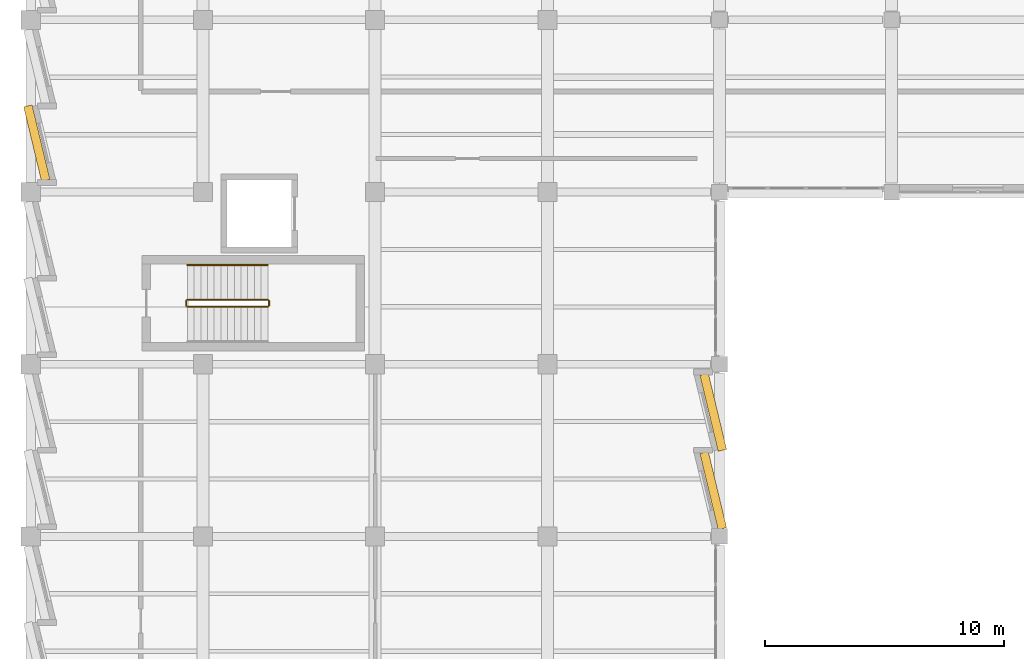
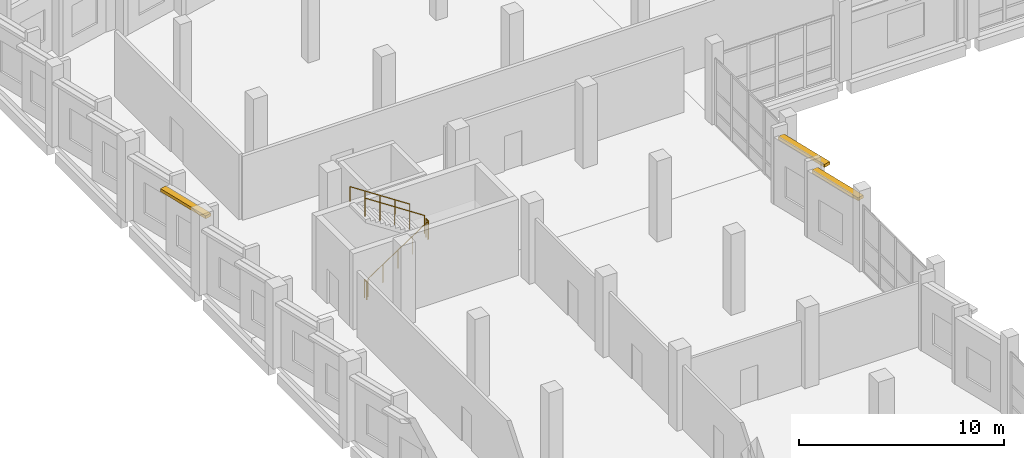
# One storey, part 115 of 127: 5 railings, 3 shading devices.
"""IFC4 building model written with IfcOpenShell, lengths in metres."""

from ifc_helpers import new_model, si_unit, direction, frame, origin, origin_2d, place, context, subcontext, project, spatial, rectangle, circle, extrude, material, layer, layer_set, type_object, element, save


model = new_model("IFC4")

# Units and contexts
model_context = context("Model", 3, precision=1e-05, world=origin(), true_north=direction((0.0, 1.0)))
body_context = subcontext(model_context, "Body", "Model", "MODEL_VIEW")
ifc_project = project(units=[si_unit("LENGTHUNIT", "METRE"), si_unit("AREAUNIT", "SQUARE_METRE"), si_unit("VOLUMEUNIT", "CUBIC_METRE"), si_unit("PLANEANGLEUNIT", "RADIAN"), si_unit("MASSUNIT", "GRAM", prefix="KILO")], contexts=[model_context])

# Site, building, storey
site_placement = place(None, origin())
site = spatial("IfcSite", under=ifc_project, at=site_placement, CompositionType="ELEMENT")
building_placement = place(site_placement, origin())
building = spatial("IfcBuilding", under=site, at=building_placement, Name="Kalmorath City Hall", CompositionType="ELEMENT")
storey_placement = place(building_placement, frame((0.0, 0.0, 5.39990234375)))
storey = spatial("IfcBuildingStorey", under=building, at=storey_placement, Name="L01", CompositionType="ELEMENT", Elevation=5.39990234375)

# Shading devices
ifc_material_1 = material(Name="Precast concrete C40/50", Category="concrete")
ifc_layer = layer(ifc_material_1, 0.179931640625)
ifc_layer_set = layer_set([ifc_layer], Name="Precast concrete C40/50")
shading_device_type = type_object("IfcShadingDeviceType", Name="Precast sawtooth brow sunshade 350", PredefinedType="USERDEFINED", material=ifc_layer_set)
shading_device_placement = place(storey_placement, frame((0.2529296875, 95.646728515625, 3.76611328125), z_axis=(0.0, 0.0, 1.0), x_axis=(-0.233445363856, 0.972369920398, 0.0)))
element("IfcShadingDevice", 1, at=shading_device_placement, inside=storey, type_object=shading_device_type, Name="L01 precast sawtooth hood #112", ObjectType="SUNSHADE", PredefinedType="USERDEFINED", context=body_context, shape_type="SweptSolid", body=[
    extrude(rectangle(XDim=3.19482421875, YDim=0.360107421875, at=origin_2d()), origin(), (0.0, 0.0, 1.0), 0.179931640625),
])
for number, where, z_axis, x_axis, name in (
    (2, (28.5380859375, 84.390869140625, 3.76611328125), (0.0, 0.0, 1.0), (0.233445363856, -0.972369920398, 0.0), "L01 precast sawtooth hood #178"),
    (3, (28.5380859375, 81.11669921875, 3.76611328125), (0.0, 0.0, 1.0), (0.233445363856, -0.972369920398, 0.0), "L01 precast sawtooth hood #179"),
):
    element("IfcShadingDevice", number, at=place(storey_placement, frame(where, z_axis=z_axis, x_axis=x_axis)), inside=storey, type_object=shading_device_type, Name=name, ObjectType="SUNSHADE", PredefinedType="USERDEFINED", context=body_context, shape_type="SweptSolid", body=[
        extrude(rectangle(XDim=3.27197265625, YDim=0.360107421875, at=origin_2d()), origin(), (0.0, 0.0, 1.0), 0.179931640625),
    ])

# Railings
ifc_material_2 = material(Name="Painted steel guardrail", Category="steel")
railing_type_1 = type_object("IfcRailingType", Name="Protected stair guardrail 1100", PredefinedType="GUARDRAIL", material=ifc_material_2)
railing_1_placement = place(storey_placement, frame((6.550048828125, 88.800048828125, 0.184814453125)))
element("IfcRailing", 4, at=railing_1_placement, inside=storey, type_object=railing_type_1, Name="L01 ST-4 stair guard 1", PredefinedType="GUARDRAIL", context=body_context, shape_type="SweptSolid", body=[
    extrude(circle(Radius=0.02392578125, at=origin_2d()), frame((0.0, 0.0, 1.076171875), z_axis=(0.834858096282, 0.0, 0.550465220583), x_axis=(0.0, 1.0, 0.0)), (0.0, 0.0, 1.0), 4.0244140625),
    extrude(circle(Radius=0.02099609375, at=origin_2d()), origin(), (0.0, 0.0, 1.0), 1.052001953125),
    extrude(circle(Radius=0.02099609375, at=origin_2d()), frame((0.83984375, 0.0, 0.5537109375)), (0.0, 0.0, 1.0), 1.052001953125),
    extrude(circle(Radius=0.02099609375, at=origin_2d()), frame((1.679931640625, 0.0, 1.107666015625)), (0.0, 0.0, 1.0), 1.052001953125),
    extrude(circle(Radius=0.02099609375, at=origin_2d()), frame((2.52001953125, 0.0, 1.66162109375)), (0.0, 0.0, 1.0), 1.052001953125),
    extrude(circle(Radius=0.02099609375, at=origin_2d()), frame((3.35986328125, 0.0, 2.21533203125)), (0.0, 0.0, 1.0), 1.052001953125),
])
railing_2_placement = place(storey_placement, frame((9.9599609375, 88.85009765625, 2.400146484375)))
element("IfcRailing", 5, at=railing_2_placement, inside=storey, type_object=railing_type_1, Name="L01 ST-4 stair guard 2", PredefinedType="GUARDRAIL", context=body_context, shape_type="SweptSolid", body=[
    extrude(circle(Radius=0.02392578125, at=origin_2d()), frame((0.0, 0.0, 1.076171875), z_axis=(0.0, 1.0, 0.0), x_axis=(-1.0, 0.0, 0.0)), (0.0, 0.0, 1.0), 0.199951171875),
    extrude(circle(Radius=0.02099609375, at=origin_2d()), origin(), (0.0, 0.0, 1.0), 1.052001953125),
    extrude(circle(Radius=0.02099609375, at=origin_2d()), frame((0.0, 0.199951171875, 0.0)), (0.0, 0.0, 1.0), 1.052001953125),
])
railing_3_placement = place(storey_placement, frame((9.909912109375, 89.10009765625, 2.584716796875)))
element("IfcRailing", 6, at=railing_3_placement, inside=storey, type_object=railing_type_1, Name="L01 ST-4 stair guard 3", PredefinedType="GUARDRAIL", context=body_context, shape_type="SweptSolid", body=[
    extrude(circle(Radius=0.02392578125, at=origin_2d()), frame((0.0, 0.0, 1.076171875), z_axis=(-0.834858096282, 0.0, 0.550465220583), x_axis=(0.0, -1.0, 0.0)), (0.0, 0.0, 1.0), 4.0244140625),
    extrude(circle(Radius=0.02099609375, at=origin_2d()), origin(), (0.0, 0.0, 1.0), 1.052001953125),
    extrude(circle(Radius=0.02099609375, at=origin_2d()), frame((-0.83984375, 0.0, 0.5537109375)), (0.0, 0.0, 1.0), 1.052001953125),
    extrude(circle(Radius=0.02099609375, at=origin_2d()), frame((-1.679931640625, 0.0, 1.107666015625)), (0.0, 0.0, 1.0), 1.052001953125),
    extrude(circle(Radius=0.02099609375, at=origin_2d()), frame((-2.52001953125, 0.0, 1.66162109375)), (0.0, 0.0, 1.0), 1.052001953125),
    extrude(circle(Radius=0.02099609375, at=origin_2d()), frame((-3.35986328125, 0.0, 2.21533203125)), (0.0, 0.0, 1.0), 1.052001953125),
])
railing_4_placement = place(storey_placement, frame((6.5, 88.85009765625, 0.0)))
element("IfcRailing", 7, at=railing_4_placement, inside=storey, type_object=railing_type_1, Name="L01 ST-4 stair guard 4", PredefinedType="GUARDRAIL", context=body_context, shape_type="SweptSolid", body=[
    extrude(circle(Radius=0.02392578125, at=origin_2d()), frame((0.0, 0.0, 1.076171875), z_axis=(0.0, 1.0, 0.0), x_axis=(-1.0, 0.0, 0.0)), (0.0, 0.0, 1.0), 0.199951171875),
    extrude(circle(Radius=0.02099609375, at=origin_2d()), origin(), (0.0, 0.0, 1.0), 1.052001953125),
    extrude(circle(Radius=0.02099609375, at=origin_2d()), frame((0.0, 0.199951171875, 0.0)), (0.0, 0.0, 1.0), 1.052001953125),
])
ifc_material_3 = material(Name="Brushed stainless steel handrail", Category="steel")
railing_type_2 = type_object("IfcRailingType", Name="Stair pitch handrail 900", PredefinedType="HANDRAIL", material=ifc_material_3)
railing_5_placement = place(storey_placement, frame((9.909912109375, 90.550048828125, 2.584716796875)))
element("IfcRailing", 8, at=railing_5_placement, inside=storey, type_object=railing_type_2, Name="L01 ST-4 stair handrail 2", PredefinedType="HANDRAIL", context=body_context, shape_type="SweptSolid", body=[
    extrude(circle(Radius=0.02392578125, at=origin_2d()), frame((0.0, 0.0, 0.8759765625), z_axis=(-0.834858096282, 0.0, 0.550465220583), x_axis=(0.0, -1.0, 0.0)), (0.0, 0.0, 1.0), 4.0244140625),
    extrude(circle(Radius=0.02099609375, at=origin_2d()), origin(), (0.0, 0.0, 1.0), 0.851806640625),
    extrude(circle(Radius=0.02099609375, at=origin_2d()), frame((-0.83984375, 0.0, 0.5537109375)), (0.0, 0.0, 1.0), 0.851806640625),
    extrude(circle(Radius=0.02099609375, at=origin_2d()), frame((-1.679931640625, 0.0, 1.107666015625)), (0.0, 0.0, 1.0), 0.851806640625),
    extrude(circle(Radius=0.02099609375, at=origin_2d()), frame((-2.52001953125, 0.0, 1.66162109375)), (0.0, 0.0, 1.0), 0.851806640625),
    extrude(circle(Radius=0.02099609375, at=origin_2d()), frame((-3.35986328125, 0.0, 2.21533203125)), (0.0, 0.0, 1.0), 0.851806640625),
])

save(model, "model.ifc")
